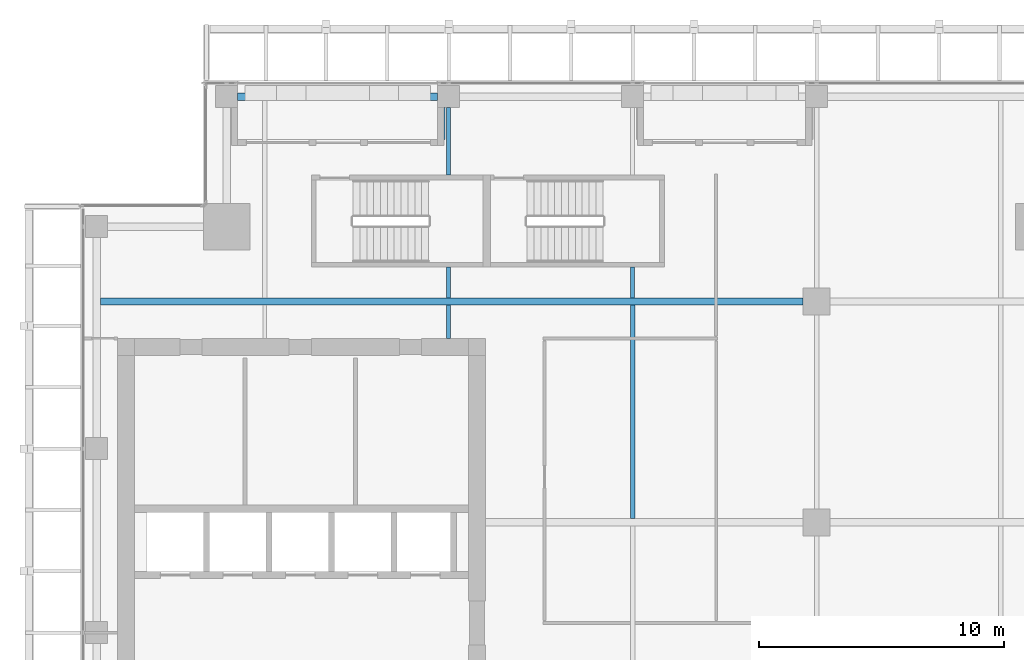
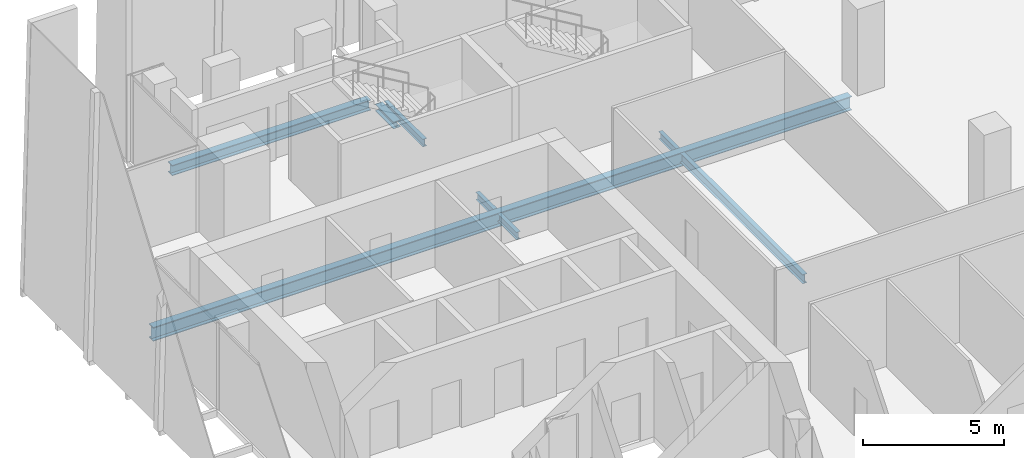
# One storey, part 15 of 33: 8 beams.
"""IFC4 building model written with IfcOpenShell, lengths in metres."""

from ifc_helpers import new_model, si_unit, direction, frame, origin, origin_2d, place, context, subcontext, project, spatial, i_section, extrude, source, transform, mapped, material, material_profile, profile_set, type_object, element, save


model = new_model("IFC4")

# Units and contexts
model_context = context("Model", 3, precision=1e-05, world=origin(), true_north=direction((0.0, 1.0)))
body_context = subcontext(model_context, "Body", "Model", "MODEL_VIEW")
ifc_project = project(units=[si_unit("LENGTHUNIT", "METRE"), si_unit("AREAUNIT", "SQUARE_METRE"), si_unit("VOLUMEUNIT", "CUBIC_METRE"), si_unit("PLANEANGLEUNIT", "RADIAN"), si_unit("MASSUNIT", "GRAM", prefix="KILO")], contexts=[model_context])

# Site, building, storey
site_placement = place(None, origin())
site = spatial("IfcSite", under=ifc_project, at=site_placement, CompositionType="ELEMENT")
building_placement = place(site_placement, origin())
building = spatial("IfcBuilding", under=site, at=building_placement, Name="Khomas Fold Tower", CompositionType="ELEMENT")
storey_placement = place(building_placement, frame((0.0, 0.0, 234.199951171875)))
storey = spatial("IfcBuildingStorey", under=building, at=storey_placement, Name="L52", CompositionType="ELEMENT", Elevation=234.199951171875)

# Beams
ifc_material_1 = material(Name="Steel S355", Category="steel")
ifc_material_profile_1 = material_profile(ifc_material_1, i_section(OverallWidth=0.179931640625, OverallDepth=0.39990234375, WebThickness=0.008544921875, FlangeThickness=0.013427734375, at=origin_2d()), Name="IPE 400")
ifc_profile_set_1 = profile_set([ifc_material_profile_1], Name="Steel S355")
beam_type_1 = type_object("IfcBeamType", Name="IPE 400 beam JB3", PredefinedType="BEAM", material=ifc_profile_set_1)
shared_shape_1 = source(origin(), body_context, "Body", "SweptSolid", [
    extrude(i_section(OverallWidth=0.179931640625, OverallDepth=0.39990234375, WebThickness=0.008544921875, FlangeThickness=0.013427734375, at=origin_2d()), origin(), (0.0, 0.0, 1.0), 8.7001953125),
])
beam_1_placement = place(storey_placement, frame((27.0, 31.64990234375, -0.449951171875), z_axis=(0.0, 1.0, 0.0), x_axis=(-1.0, 0.0, 0.0)))
element("IfcBeam", 1, at=beam_1_placement, inside=storey, type_object=beam_type_1, Name="JB3", PredefinedType="BEAM", context=body_context, shape_type="MappedRepresentation", body=[
    mapped(shared_shape_1, transform((0.0, 0.0, 0.0))),
])
ifc_material_2 = material(Name="Steel S355", Category="steel")
ifc_material_profile_2 = material_profile(ifc_material_2, i_section(OverallWidth=0.159912109375, OverallDepth=0.330078125, WebThickness=0.007568359375, FlangeThickness=0.011474609375, at=origin_2d()), Name="IPE 330")
ifc_profile_set_2 = profile_set([ifc_material_profile_2], Name="Steel S355")
beam_type_2 = type_object("IfcBeamType", Name="IPE 330 beam JB1", PredefinedType="BEAM", material=ifc_profile_set_2)
shared_shape_2 = source(origin(), body_context, "Body", "SweptSolid", [
    extrude(i_section(OverallWidth=0.159912109375, OverallDepth=0.330078125, WebThickness=0.007568359375, FlangeThickness=0.011474609375, at=origin_2d()), origin(), (0.0, 0.0, 1.0), 1.25),
])
for number, where, z_axis, x_axis, name in (
    (2, (19.5, 40.64990234375, -0.4150390625), (0.0, 1.0, 0.0), (-1.0, 0.0, 0.0), "JB1"),
    (3, (27.0, 40.64990234375, -0.4150390625), (0.0, 1.0, 0.0), (-1.0, 0.0, 0.0), "JB1"),
):
    element("IfcBeam", number, at=place(storey_placement, frame(where, z_axis=z_axis, x_axis=x_axis)), inside=storey, type_object=beam_type_2, Name=name, PredefinedType="BEAM", context=body_context, shape_type="MappedRepresentation", body=[
        mapped(shared_shape_2, transform((0.0, 0.0, 0.0))),
    ])
shared_shape_3 = source(origin(), body_context, "Body", "SweptSolid", [
    extrude(i_section(OverallWidth=0.159912109375, OverallDepth=0.330078125, WebThickness=0.007568359375, FlangeThickness=0.011474609375, at=origin_2d()), origin(), (0.0, 0.0, 1.0), 1.35009765625),
])
beam_2_placement = place(storey_placement, frame((19.5, 39.0, -0.4150390625), z_axis=(0.0, 1.0, 0.0), x_axis=(-1.0, 0.0, 0.0)))
element("IfcBeam", 4, at=beam_2_placement, inside=storey, type_object=beam_type_2, Name="JB1", PredefinedType="BEAM", context=body_context, shape_type="MappedRepresentation", body=[
    mapped(shared_shape_3, transform((0.0, 0.0, 0.0))),
])
shared_shape_4 = source(origin(), body_context, "Body", "SweptSolid", [
    extrude(i_section(OverallWidth=0.159912109375, OverallDepth=0.330078125, WebThickness=0.007568359375, FlangeThickness=0.011474609375, at=origin_2d()), origin(), (0.0, 0.0, 1.0), 2.75),
])
beam_3_placement = place(storey_placement, frame((19.5, 45.64990234375, -0.4150390625), z_axis=(0.0, 1.0, 0.0), x_axis=(-1.0, 0.0, 0.0)))
element("IfcBeam", 5, at=beam_3_placement, inside=storey, type_object=beam_type_2, Name="JB1", PredefinedType="BEAM", context=body_context, shape_type="MappedRepresentation", body=[
    mapped(shared_shape_4, transform((0.0, 0.0, 0.0))),
])
ifc_material_3 = material(Name="Steel S355", Category="steel")
ifc_material_profile_3 = material_profile(ifc_material_3, i_section(OverallWidth=0.300048828125, OverallDepth=0.449951171875, WebThickness=0.013916015625, FlangeThickness=0.02587890625, at=origin_2d()), Name="HE 450 B")
ifc_profile_set_3 = profile_set([ifc_material_profile_3], Name="Steel S355")
beam_type_3 = type_object("IfcBeamType", Name="HE 450 B spandrel SB4", PredefinedType="SPANDREL", material=ifc_profile_set_3)
shared_shape_5 = source(origin(), body_context, "Body", "SweptSolid", [
    extrude(i_section(OverallWidth=0.300048828125, OverallDepth=0.449951171875, WebThickness=0.013916015625, FlangeThickness=0.02587890625, at=origin_2d()), origin(), (0.0, 0.0, 1.0), 8.150146484375),
])
beam_4_placement = place(storey_placement, frame((10.89990234375, 48.85009765625, -0.474853515625), z_axis=(1.0, 0.0, 0.0), x_axis=(0.0, 1.0, 0.0)))
element("IfcBeam", 6, at=beam_4_placement, inside=storey, type_object=beam_type_3, Name="SB4", PredefinedType="SPANDREL", context=body_context, shape_type="MappedRepresentation", body=[
    mapped(shared_shape_5, transform((0.0, 0.0, 0.0))),
])
ifc_material_4 = material(Name="Steel S355", Category="steel")
ifc_material_profile_4 = material_profile(ifc_material_4, i_section(OverallWidth=0.300048828125, OverallDepth=0.60009765625, WebThickness=0.015380859375, FlangeThickness=0.030029296875, at=origin_2d()), Name="HE 600 B")
ifc_profile_set_4 = profile_set([ifc_material_profile_4], Name="Steel S355")
beam_type_4 = type_object("IfcBeamType", Name="HE 600 B beam GB5", PredefinedType="BEAM", material=ifc_profile_set_4)
shared_shape_6 = source(origin(), body_context, "Body", "SweptSolid", [
    extrude(i_section(OverallWidth=0.300048828125, OverallDepth=0.60009765625, WebThickness=0.015380859375, FlangeThickness=0.030029296875, at=origin_2d()), origin(), (0.0, 0.0, 1.0), 28.64990234375),
])
beam_5_placement = place(storey_placement, frame((5.300048828125, 40.5, -0.550048828125), z_axis=(1.0, 0.0, 0.0), x_axis=(0.0, 1.0, 0.0)))
element("IfcBeam", 7, at=beam_5_placement, inside=storey, type_object=beam_type_4, Name="GB5", PredefinedType="BEAM", context=body_context, shape_type="MappedRepresentation", body=[
    mapped(shared_shape_6, transform((0.0, 0.0, 0.0))),
])
ifc_material_5 = material(Name="Steel S355", Category="steel")
ifc_material_profile_5 = material_profile(ifc_material_5, i_section(OverallWidth=0.300048828125, OverallDepth=0.300048828125, WebThickness=0.010986328125, FlangeThickness=0.01904296875, at=origin_2d()), Name="HE 300 B")
ifc_profile_set_5 = profile_set([ifc_material_profile_5], Name="Steel S355")
beam_type_5 = type_object("IfcBeamType", Name="HE 300 B beam BB1", PredefinedType="BEAM", material=ifc_profile_set_5)
shared_shape_7 = source(origin(), body_context, "Body", "SweptSolid", [
    extrude(i_section(OverallWidth=0.300048828125, OverallDepth=0.300048828125, WebThickness=0.010986328125, FlangeThickness=0.01904296875, at=origin_2d()), origin(), (0.0, 0.0, 1.0), 1.2998046875),
])
beam_6_placement = place(storey_placement, frame((19.199951171875, 47.10009765625, -0.39990234375), z_axis=(0.0, 1.0, 0.0), x_axis=(-1.0, 0.0, 0.0)))
element("IfcBeam", 8, at=beam_6_placement, inside=storey, type_object=beam_type_5, Name="BB1", PredefinedType="BEAM", context=body_context, shape_type="MappedRepresentation", body=[
    mapped(shared_shape_7, transform((0.0, 0.0, 0.0))),
])

save(model, "model.ifc")
